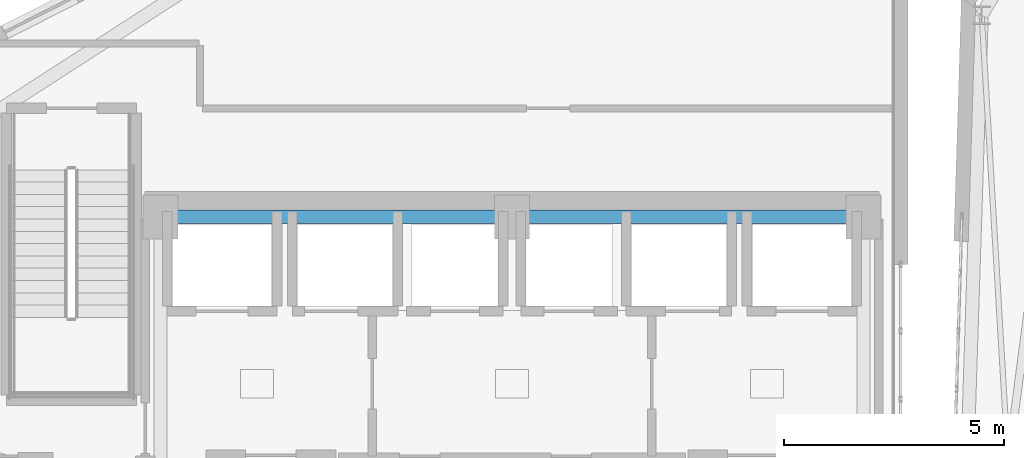
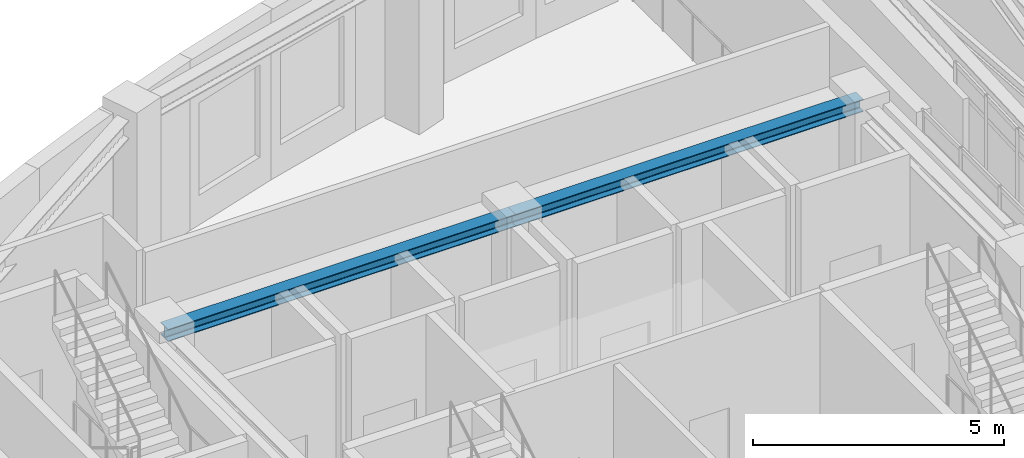
# One storey, part 10 of 19: 2 beams.
"""IFC4 building model written with IfcOpenShell, lengths in metres."""

from ifc_helpers import new_model, si_unit, direction, frame, origin, origin_2d, place, context, subcontext, project, spatial, i_section, extrude, material, material_profile, profile_set, type_object, element, save


model = new_model("IFC4")

# Units and contexts
model_context = context("Model", 3, precision=1e-05, world=origin(), true_north=direction((0.0, 1.0)))
body_context = subcontext(model_context, "Body", "Model", "MODEL_VIEW")
ifc_project = project(units=[si_unit("LENGTHUNIT", "METRE"), si_unit("AREAUNIT", "SQUARE_METRE"), si_unit("VOLUMEUNIT", "CUBIC_METRE"), si_unit("PLANEANGLEUNIT", "RADIAN"), si_unit("MASSUNIT", "GRAM", prefix="KILO")], contexts=[model_context])

# Site, building, storey
site_placement = place(None, origin())
site = spatial("IfcSite", under=ifc_project, at=site_placement, CompositionType="ELEMENT")
building_placement = place(site_placement, origin())
building = spatial("IfcBuilding", under=site, at=building_placement, Name="Ndelora Gate Hotel", CompositionType="ELEMENT")
storey_placement = place(building_placement, frame((0.0, 0.0, 294.800048828125)))
storey = spatial("IfcBuildingStorey", under=building, at=storey_placement, Name="L73", CompositionType="ELEMENT", Elevation=294.800048828125)

# Beams
ifc_material = material(Name="Steel S355", Category="steel")
ifc_material_profile = material_profile(ifc_material, i_section(OverallWidth=0.300048828125, OverallDepth=0.300048828125, WebThickness=0.010986328125, FlangeThickness=0.01904296875, FilletRadius=0.027099609375, at=origin_2d()), Name="HEB 300")
ifc_profile_set = profile_set([ifc_material_profile], Name="Steel S355")
beam_type = type_object("IfcBeamType", Name="BM-CORE-300", PredefinedType="BEAM", material=ifc_profile_set)
for number, where, z_axis, x_axis, name in (
    (1, (-8.0, 6.60009765625, 3.97998046875), (1.0, 0.0, 0.0), (0.0, 1.0, 0.0), "L73 Core Tie Girder CC7-CC6"),
    (2, (0.0, 6.60009765625, 3.97998046875), (1.0, 0.0, 0.0), (0.0, 1.0, 0.0), "L73 Core Tie Girder CC6-CC5"),
):
    element("IfcBeam", number, at=place(storey_placement, frame(where, z_axis=z_axis, x_axis=x_axis)), inside=storey, type_object=beam_type, Name=name, PredefinedType="BEAM", context=body_context, shape_type="SweptSolid", body=[
        extrude(i_section(OverallWidth=0.300048828125, OverallDepth=0.300048828125, WebThickness=0.010986328125, FlangeThickness=0.01904296875, FilletRadius=0.027099609375, at=origin_2d()), origin(), (0.0, 0.0, 1.0), 8.0),
    ])

save(model, "model.ifc")
